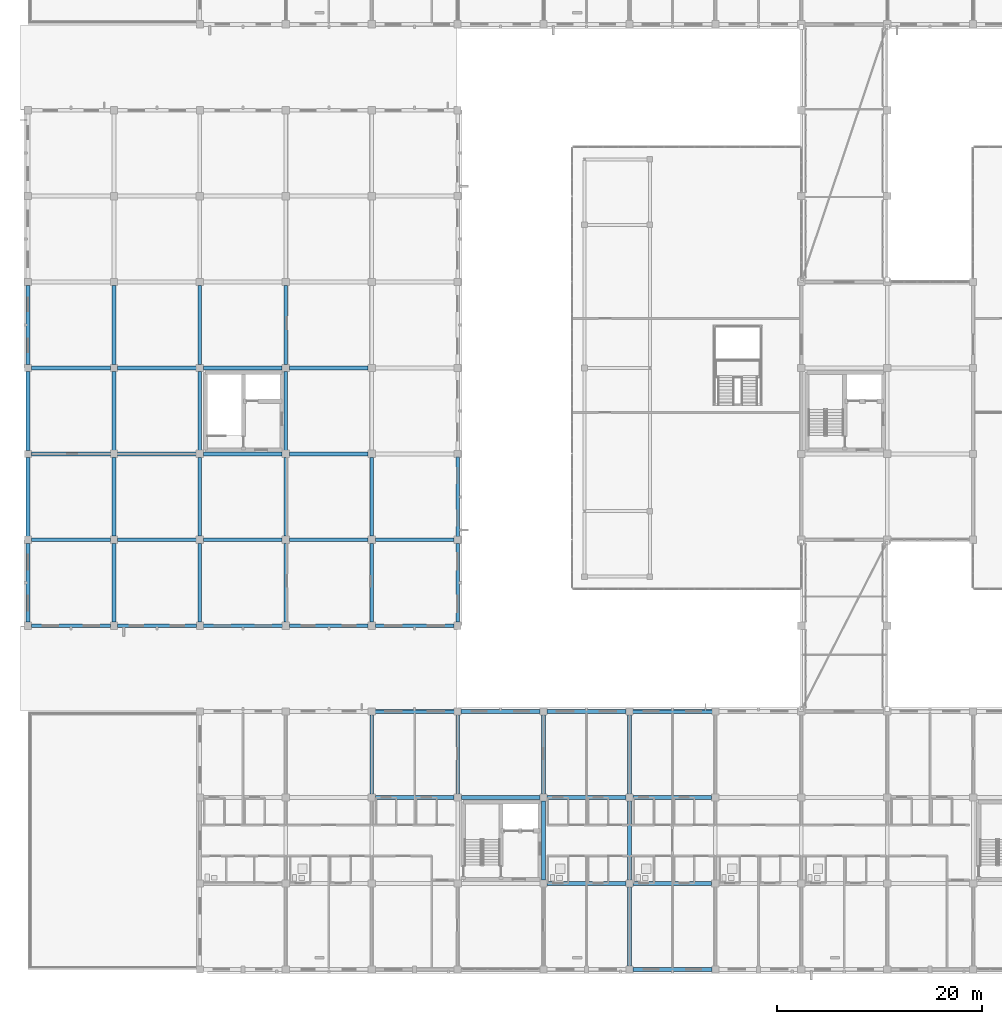
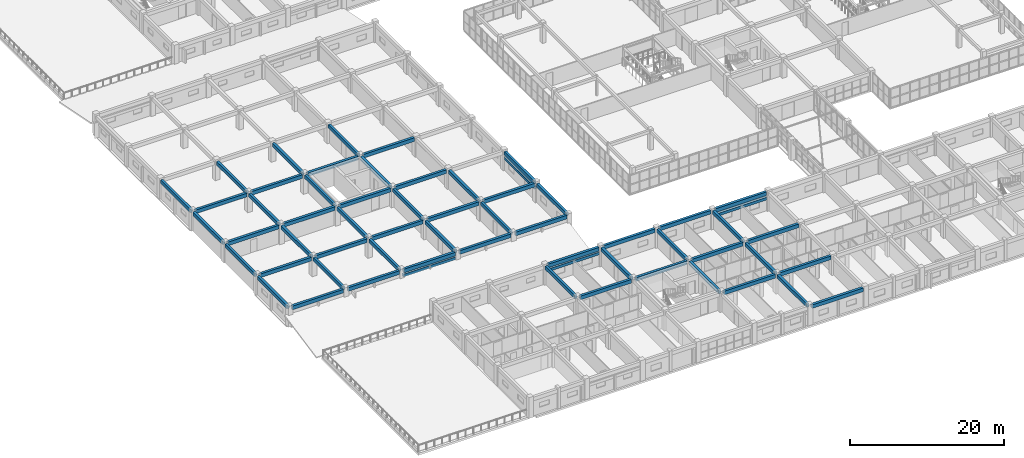
# One storey, part 15 of 148: 60 beams.
"""IFC4 building model written with IfcOpenShell, lengths in metres."""

from ifc_helpers import new_model, si_unit, direction, frame, origin, origin_2d, place, context, subcontext, project, spatial, rectangle, extrude, material, material_profile, profile_set, type_object, element, save


model = new_model("IFC4")

# Units and contexts
model_context = context("Model", 3, precision=1e-05, world=origin(), true_north=direction((0.0, 1.0)))
body_context = subcontext(model_context, "Body", "Model", "MODEL_VIEW")
ifc_project = project(units=[si_unit("LENGTHUNIT", "METRE"), si_unit("AREAUNIT", "SQUARE_METRE"), si_unit("VOLUMEUNIT", "CUBIC_METRE"), si_unit("PLANEANGLEUNIT", "RADIAN"), si_unit("MASSUNIT", "GRAM", prefix="KILO")], contexts=[model_context])

# Site, building, storey
site_placement = place(None, origin())
site = spatial("IfcSite", under=ifc_project, at=site_placement, CompositionType="ELEMENT")
building_placement = place(site_placement, origin())
building = spatial("IfcBuilding", under=site, at=building_placement, Name="Trelvath General Hospital", CompositionType="ELEMENT")
storey_placement = place(building_placement, frame((0.0, 0.0, 12.89990234375)))
storey = spatial("IfcBuildingStorey", under=building, at=storey_placement, Name="L03", CompositionType="ELEMENT", Elevation=12.89990234375)

# Beams
ifc_material_1 = material(Name="Concrete C35/45", Category="concrete")
ifc_material_profile_1 = material_profile(ifc_material_1, rectangle(XDim=0.360107421875, YDim=0.56005859375, at=origin_2d()), Name="RCB360x560")
ifc_profile_set_1 = profile_set([ifc_material_profile_1], Name="Concrete C35/45")
beam_type_1 = type_object("IfcBeamType", Name="Beam RC360x560", PredefinedType="BEAM", material=ifc_profile_set_1)
for number, where, z_axis, x_axis, name in (
    (1, (0.0, 33.945068359375, 2.739990234375), (0.0, 1.0, 0.0), (-1.0, 0.0, 0.0), "Grid Beam BY-300E"),
    (2, (0.0, 42.344970703125, 2.739990234375), (0.0, 1.0, 0.0), (-1.0, 0.0, 0.0), "Grid Beam BY-300F"),
    (3, (0.0, 50.7451171875, 2.739990234375), (0.0, 1.0, 0.0), (-1.0, 0.0, 0.0), "Grid Beam BY-300G"),
    (4, (0.0, 59.14501953125, 2.739990234375), (0.0, 1.0, 0.0), (-1.0, 0.0, 0.0), "Grid Beam BY-300H"),
):
    element("IfcBeam", number, at=place(storey_placement, frame(where, z_axis=z_axis, x_axis=x_axis)), inside=storey, type_object=beam_type_1, Name=name, PredefinedType="BEAM", context=body_context, shape_type="SweptSolid", body=[
        extrude(rectangle(XDim=0.360107421875, YDim=0.56005859375, at=origin_2d()), origin(), (0.0, 0.0, 1.0), 7.7099609375),
    ])
beam_1_placement = place(storey_placement, frame((8.39990234375, 33.945068359375, 2.739990234375), z_axis=(0.0, 1.0, 0.0), x_axis=(-1.0, 0.0, 0.0)))
element("IfcBeam", 5, at=beam_1_placement, inside=storey, type_object=beam_type_1, Name="Grid Beam BY-301E", PredefinedType="BEAM", context=body_context, shape_type="SweptSolid", body=[
    extrude(rectangle(XDim=0.360107421875, YDim=0.56005859375, at=origin_2d()), origin(), (0.0, 0.0, 1.0), 7.699951171875),
])
beam_2_placement = place(storey_placement, frame((8.39990234375, 42.35498046875, 2.739990234375), z_axis=(0.0, 1.0, 0.0), x_axis=(-1.0, 0.0, 0.0)))
element("IfcBeam", 6, at=beam_2_placement, inside=storey, type_object=beam_type_1, Name="Grid Beam BY-301F", PredefinedType="BEAM", context=body_context, shape_type="SweptSolid", body=[
    extrude(rectangle(XDim=0.360107421875, YDim=0.56005859375, at=origin_2d()), origin(), (0.0, 0.0, 1.0), 7.68994140625),
])
beam_3_placement = place(storey_placement, frame((8.39990234375, 50.7548828125, 2.739990234375), z_axis=(0.0, 1.0, 0.0), x_axis=(-1.0, 0.0, 0.0)))
element("IfcBeam", 7, at=beam_3_placement, inside=storey, type_object=beam_type_1, Name="Grid Beam BY-301G", PredefinedType="BEAM", context=body_context, shape_type="SweptSolid", body=[
    extrude(rectangle(XDim=0.360107421875, YDim=0.56005859375, at=origin_2d()), origin(), (0.0, 0.0, 1.0), 7.690185546875),
])
beam_4_placement = place(storey_placement, frame((8.39990234375, 59.155029296875, 2.739990234375), z_axis=(0.0, 1.0, 0.0), x_axis=(-1.0, 0.0, 0.0)))
element("IfcBeam", 8, at=beam_4_placement, inside=storey, type_object=beam_type_1, Name="Grid Beam BY-301H", PredefinedType="BEAM", context=body_context, shape_type="SweptSolid", body=[
    extrude(rectangle(XDim=0.360107421875, YDim=0.56005859375, at=origin_2d()), origin(), (0.0, 0.0, 1.0), 7.68994140625),
])
beam_5_placement = place(storey_placement, frame((16.800048828125, 33.945068359375, 2.739990234375), z_axis=(0.0, 1.0, 0.0), x_axis=(-1.0, 0.0, 0.0)))
element("IfcBeam", 9, at=beam_5_placement, inside=storey, type_object=beam_type_1, Name="Grid Beam BY-302E", PredefinedType="BEAM", context=body_context, shape_type="SweptSolid", body=[
    extrude(rectangle(XDim=0.360107421875, YDim=0.56005859375, at=origin_2d()), origin(), (0.0, 0.0, 1.0), 7.699951171875),
])
beam_6_placement = place(storey_placement, frame((16.800048828125, 42.35498046875, 2.739990234375), z_axis=(0.0, 1.0, 0.0), x_axis=(-1.0, 0.0, 0.0)))
element("IfcBeam", 10, at=beam_6_placement, inside=storey, type_object=beam_type_1, Name="Grid Beam BY-302F", PredefinedType="BEAM", context=body_context, shape_type="SweptSolid", body=[
    extrude(rectangle(XDim=0.360107421875, YDim=0.56005859375, at=origin_2d()), origin(), (0.0, 0.0, 1.0), 7.68994140625),
])
beam_7_placement = place(storey_placement, frame((16.800048828125, 50.7548828125, 2.739990234375), z_axis=(0.0, 1.0, 0.0), x_axis=(-1.0, 0.0, 0.0)))
element("IfcBeam", 11, at=beam_7_placement, inside=storey, type_object=beam_type_1, Name="Grid Beam BY-302G", PredefinedType="BEAM", context=body_context, shape_type="SweptSolid", body=[
    extrude(rectangle(XDim=0.360107421875, YDim=0.56005859375, at=origin_2d()), origin(), (0.0, 0.0, 1.0), 7.690185546875),
])
beam_8_placement = place(storey_placement, frame((16.800048828125, 59.155029296875, 2.739990234375), z_axis=(0.0, 1.0, 0.0), x_axis=(-1.0, 0.0, 0.0)))
element("IfcBeam", 12, at=beam_8_placement, inside=storey, type_object=beam_type_1, Name="Grid Beam BY-302H", PredefinedType="BEAM", context=body_context, shape_type="SweptSolid", body=[
    extrude(rectangle(XDim=0.360107421875, YDim=0.56005859375, at=origin_2d()), origin(), (0.0, 0.0, 1.0), 7.68994140625),
])
beam_9_placement = place(storey_placement, frame((25.199951171875, 33.945068359375, 2.739990234375), z_axis=(0.0, 1.0, 0.0), x_axis=(-1.0, 0.0, 0.0)))
element("IfcBeam", 13, at=beam_9_placement, inside=storey, type_object=beam_type_1, Name="Grid Beam BY-303E", PredefinedType="BEAM", context=body_context, shape_type="SweptSolid", body=[
    extrude(rectangle(XDim=0.360107421875, YDim=0.56005859375, at=origin_2d()), origin(), (0.0, 0.0, 1.0), 7.699951171875),
])
beam_10_placement = place(storey_placement, frame((25.199951171875, 42.35498046875, 2.739990234375), z_axis=(0.0, 1.0, 0.0), x_axis=(-1.0, 0.0, 0.0)))
element("IfcBeam", 14, at=beam_10_placement, inside=storey, type_object=beam_type_1, Name="Grid Beam BY-303F", PredefinedType="BEAM", context=body_context, shape_type="SweptSolid", body=[
    extrude(rectangle(XDim=0.360107421875, YDim=0.56005859375, at=origin_2d()), origin(), (0.0, 0.0, 1.0), 7.68994140625),
])
beam_11_placement = place(storey_placement, frame((25.199951171875, 50.7548828125, 2.739990234375), z_axis=(0.0, 1.0, 0.0), x_axis=(-1.0, 0.0, 0.0)))
element("IfcBeam", 15, at=beam_11_placement, inside=storey, type_object=beam_type_1, Name="Grid Beam BY-303G", PredefinedType="BEAM", context=body_context, shape_type="SweptSolid", body=[
    extrude(rectangle(XDim=0.360107421875, YDim=0.56005859375, at=origin_2d()), origin(), (0.0, 0.0, 1.0), 7.690185546875),
])
beam_12_placement = place(storey_placement, frame((25.199951171875, 59.155029296875, 2.739990234375), z_axis=(0.0, 1.0, 0.0), x_axis=(-1.0, 0.0, 0.0)))
element("IfcBeam", 16, at=beam_12_placement, inside=storey, type_object=beam_type_1, Name="Grid Beam BY-303H", PredefinedType="BEAM", context=body_context, shape_type="SweptSolid", body=[
    extrude(rectangle(XDim=0.360107421875, YDim=0.56005859375, at=origin_2d()), origin(), (0.0, 0.0, 1.0), 7.68994140625),
])
for number, where, z_axis, x_axis, name in (
    (17, (33.60009765625, 17.155029296875, 2.739990234375), (0.0, 1.0, 0.0), (-1.0, 0.0, 0.0), "Grid Beam BY-304C"),
    (18, (33.60009765625, 33.945068359375, 2.739990234375), (0.0, 1.0, 0.0), (-1.0, 0.0, 0.0), "Grid Beam BY-304E"),
):
    element("IfcBeam", number, at=place(storey_placement, frame(where, z_axis=z_axis, x_axis=x_axis)), inside=storey, type_object=beam_type_1, Name=name, PredefinedType="BEAM", context=body_context, shape_type="SweptSolid", body=[
        extrude(rectangle(XDim=0.360107421875, YDim=0.56005859375, at=origin_2d()), origin(), (0.0, 0.0, 1.0), 7.699951171875),
    ])
beam_13_placement = place(storey_placement, frame((33.60009765625, 42.35498046875, 2.739990234375), z_axis=(0.0, 1.0, 0.0), x_axis=(-1.0, 0.0, 0.0)))
element("IfcBeam", 19, at=beam_13_placement, inside=storey, type_object=beam_type_1, Name="Grid Beam BY-304F", PredefinedType="BEAM", context=body_context, shape_type="SweptSolid", body=[
    extrude(rectangle(XDim=0.360107421875, YDim=0.56005859375, at=origin_2d()), origin(), (0.0, 0.0, 1.0), 7.68994140625),
])
beam_14_placement = place(storey_placement, frame((42.0, 17.155029296875, 2.739990234375), z_axis=(0.0, 1.0, 0.0), x_axis=(-1.0, 0.0, 0.0)))
element("IfcBeam", 20, at=beam_14_placement, inside=storey, type_object=beam_type_1, Name="Grid Beam BY-305C", PredefinedType="BEAM", context=body_context, shape_type="SweptSolid", body=[
    extrude(rectangle(XDim=0.360107421875, YDim=0.56005859375, at=origin_2d()), origin(), (0.0, 0.0, 1.0), 7.699951171875),
])
for number, where, z_axis, x_axis, name in (
    (21, (42.0, 33.945068359375, 2.739990234375), (0.0, 1.0, 0.0), (-1.0, 0.0, 0.0), "Grid Beam BY-305E"),
    (22, (42.0, 42.344970703125, 2.739990234375), (0.0, 1.0, 0.0), (-1.0, 0.0, 0.0), "Grid Beam BY-305F"),
):
    element("IfcBeam", number, at=place(storey_placement, frame(where, z_axis=z_axis, x_axis=x_axis)), inside=storey, type_object=beam_type_1, Name=name, PredefinedType="BEAM", context=body_context, shape_type="SweptSolid", body=[
        extrude(rectangle(XDim=0.360107421875, YDim=0.56005859375, at=origin_2d()), origin(), (0.0, 0.0, 1.0), 7.7099609375),
    ])
beam_15_placement = place(storey_placement, frame((50.39990234375, 8.7548828125, 2.739990234375), z_axis=(0.0, 1.0, 0.0), x_axis=(-1.0, 0.0, 0.0)))
element("IfcBeam", 23, at=beam_15_placement, inside=storey, type_object=beam_type_1, Name="Grid Beam BY-306B", PredefinedType="BEAM", context=body_context, shape_type="SweptSolid", body=[
    extrude(rectangle(XDim=0.360107421875, YDim=0.56005859375, at=origin_2d()), origin(), (0.0, 0.0, 1.0), 7.690185546875),
])
for number, where, z_axis, x_axis, name in (
    (24, (50.39990234375, 17.155029296875, 2.739990234375), (0.0, 1.0, 0.0), (-1.0, 0.0, 0.0), "Grid Beam BY-306C"),
    (25, (58.800048828125, 0.344970703125, 2.739990234375), (0.0, 1.0, 0.0), (-1.0, 0.0, 0.0), "Grid Beam BY-307A"),
):
    element("IfcBeam", number, at=place(storey_placement, frame(where, z_axis=z_axis, x_axis=x_axis)), inside=storey, type_object=beam_type_1, Name=name, PredefinedType="BEAM", context=body_context, shape_type="SweptSolid", body=[
        extrude(rectangle(XDim=0.360107421875, YDim=0.56005859375, at=origin_2d()), origin(), (0.0, 0.0, 1.0), 7.699951171875),
    ])
beam_16_placement = place(storey_placement, frame((58.800048828125, 8.7548828125, 2.739990234375), z_axis=(0.0, 1.0, 0.0), x_axis=(-1.0, 0.0, 0.0)))
element("IfcBeam", 26, at=beam_16_placement, inside=storey, type_object=beam_type_1, Name="Grid Beam BY-307B", PredefinedType="BEAM", context=body_context, shape_type="SweptSolid", body=[
    extrude(rectangle(XDim=0.360107421875, YDim=0.56005859375, at=origin_2d()), origin(), (0.0, 0.0, 1.0), 7.690185546875),
])
beam_17_placement = place(storey_placement, frame((58.800048828125, 17.155029296875, 2.739990234375), z_axis=(0.0, 1.0, 0.0), x_axis=(-1.0, 0.0, 0.0)))
element("IfcBeam", 27, at=beam_17_placement, inside=storey, type_object=beam_type_1, Name="Grid Beam BY-307C", PredefinedType="BEAM", context=body_context, shape_type="SweptSolid", body=[
    extrude(rectangle(XDim=0.360107421875, YDim=0.56005859375, at=origin_2d()), origin(), (0.0, 0.0, 1.0), 7.699951171875),
])
ifc_material_2 = material(Name="Concrete C35/45", Category="concrete")
ifc_material_profile_2 = material_profile(ifc_material_2, rectangle(XDim=0.3798828125, YDim=0.580078125, at=origin_2d()), Name="RCB380x580")
ifc_profile_set_2 = profile_set([ifc_material_profile_2], Name="Concrete C35/45")
beam_type_2 = type_object("IfcBeamType", Name="Beam RC380x580", PredefinedType="BEAM", material=ifc_profile_set_2)
beam_18_placement = place(storey_placement, frame((0.344970703125, 33.60009765625, 2.72998046875), z_axis=(1.0, 0.0, 0.0), x_axis=(0.0, 1.0, 0.0)))
element("IfcBeam", 28, at=beam_18_placement, inside=storey, type_object=beam_type_2, Name="Grid Beam BX-300E", PredefinedType="BEAM", context=body_context, shape_type="SweptSolid", body=[
    extrude(rectangle(XDim=0.3798828125, YDim=0.580078125, at=origin_2d()), origin(), (0.0, 0.0, 1.0), 7.7099609375),
])
for number, where, z_axis, x_axis, name in (
    (29, (0.344970703125, 42.0, 2.72998046875), (1.0, 0.0, 0.0), (0.0, 1.0, 0.0), "Grid Beam BX-300F"),
    (30, (0.344970703125, 50.39990234375, 2.72998046875), (1.0, 0.0, 0.0), (0.0, 1.0, 0.0), "Grid Beam BX-300G"),
    (31, (0.344970703125, 58.800048828125, 2.72998046875), (1.0, 0.0, 0.0), (0.0, 1.0, 0.0), "Grid Beam BX-300H"),
):
    element("IfcBeam", number, at=place(storey_placement, frame(where, z_axis=z_axis, x_axis=x_axis)), inside=storey, type_object=beam_type_2, Name=name, PredefinedType="BEAM", context=body_context, shape_type="SweptSolid", body=[
        extrude(rectangle(XDim=0.3798828125, YDim=0.580078125, at=origin_2d()), origin(), (0.0, 0.0, 1.0), 7.699951171875),
    ])
beam_19_placement = place(storey_placement, frame((8.7451171875, 33.60009765625, 2.72998046875), z_axis=(1.0, 0.0, 0.0), x_axis=(0.0, 1.0, 0.0)))
element("IfcBeam", 32, at=beam_19_placement, inside=storey, type_object=beam_type_2, Name="Grid Beam BX-301E", PredefinedType="BEAM", context=body_context, shape_type="SweptSolid", body=[
    extrude(rectangle(XDim=0.3798828125, YDim=0.580078125, at=origin_2d()), origin(), (0.0, 0.0, 1.0), 7.7099609375),
])
for number, where, z_axis, x_axis, name in (
    (33, (8.7548828125, 42.0, 2.72998046875), (1.0, 0.0, 0.0), (0.0, 1.0, 0.0), "Grid Beam BX-301F"),
    (34, (8.7548828125, 50.39990234375, 2.72998046875), (1.0, 0.0, 0.0), (0.0, 1.0, 0.0), "Grid Beam BX-301G"),
    (35, (8.7548828125, 58.800048828125, 2.72998046875), (1.0, 0.0, 0.0), (0.0, 1.0, 0.0), "Grid Beam BX-301H"),
):
    element("IfcBeam", number, at=place(storey_placement, frame(where, z_axis=z_axis, x_axis=x_axis)), inside=storey, type_object=beam_type_2, Name=name, PredefinedType="BEAM", context=body_context, shape_type="SweptSolid", body=[
        extrude(rectangle(XDim=0.3798828125, YDim=0.580078125, at=origin_2d()), origin(), (0.0, 0.0, 1.0), 7.690185546875),
    ])
beam_20_placement = place(storey_placement, frame((17.14501953125, 33.60009765625, 2.72998046875), z_axis=(1.0, 0.0, 0.0), x_axis=(0.0, 1.0, 0.0)))
element("IfcBeam", 36, at=beam_20_placement, inside=storey, type_object=beam_type_2, Name="Grid Beam BX-302E", PredefinedType="BEAM", context=body_context, shape_type="SweptSolid", body=[
    extrude(rectangle(XDim=0.3798828125, YDim=0.580078125, at=origin_2d()), origin(), (0.0, 0.0, 1.0), 7.7099609375),
])
for number, where, z_axis, x_axis, name in (
    (37, (17.155029296875, 42.0, 2.72998046875), (1.0, 0.0, 0.0), (0.0, 1.0, 0.0), "Grid Beam BX-302F"),
    (38, (17.155029296875, 50.39990234375, 2.72998046875), (1.0, 0.0, 0.0), (0.0, 1.0, 0.0), "Grid Beam BX-302G"),
    (39, (17.155029296875, 58.800048828125, 2.72998046875), (1.0, 0.0, 0.0), (0.0, 1.0, 0.0), "Grid Beam BX-302H"),
):
    element("IfcBeam", number, at=place(storey_placement, frame(where, z_axis=z_axis, x_axis=x_axis)), inside=storey, type_object=beam_type_2, Name=name, PredefinedType="BEAM", context=body_context, shape_type="SweptSolid", body=[
        extrude(rectangle(XDim=0.3798828125, YDim=0.580078125, at=origin_2d()), origin(), (0.0, 0.0, 1.0), 7.68994140625),
    ])
beam_21_placement = place(storey_placement, frame((25.544921875, 33.60009765625, 2.72998046875), z_axis=(1.0, 0.0, 0.0), x_axis=(0.0, 1.0, 0.0)))
element("IfcBeam", 40, at=beam_21_placement, inside=storey, type_object=beam_type_2, Name="Grid Beam BX-303E", PredefinedType="BEAM", context=body_context, shape_type="SweptSolid", body=[
    extrude(rectangle(XDim=0.3798828125, YDim=0.580078125, at=origin_2d()), origin(), (0.0, 0.0, 1.0), 7.7099609375),
])
for number, where, z_axis, x_axis, name in (
    (41, (25.554931640625, 42.0, 2.72998046875), (1.0, 0.0, 0.0), (0.0, 1.0, 0.0), "Grid Beam BX-303F"),
    (42, (25.554931640625, 50.39990234375, 2.72998046875), (1.0, 0.0, 0.0), (0.0, 1.0, 0.0), "Grid Beam BX-303G"),
    (43, (25.554931640625, 58.800048828125, 2.72998046875), (1.0, 0.0, 0.0), (0.0, 1.0, 0.0), "Grid Beam BX-303H"),
):
    element("IfcBeam", number, at=place(storey_placement, frame(where, z_axis=z_axis, x_axis=x_axis)), inside=storey, type_object=beam_type_2, Name=name, PredefinedType="BEAM", context=body_context, shape_type="SweptSolid", body=[
        extrude(rectangle(XDim=0.3798828125, YDim=0.580078125, at=origin_2d()), origin(), (0.0, 0.0, 1.0), 7.690185546875),
    ])
beam_22_placement = place(storey_placement, frame((33.955078125, 16.800048828125, 2.72998046875), z_axis=(1.0, 0.0, 0.0), x_axis=(0.0, 1.0, 0.0)))
element("IfcBeam", 44, at=beam_22_placement, inside=storey, type_object=beam_type_2, Name="Grid Beam BX-304C", PredefinedType="BEAM", context=body_context, shape_type="SweptSolid", body=[
    extrude(rectangle(XDim=0.3798828125, YDim=0.580078125, at=origin_2d()), origin(), (0.0, 0.0, 1.0), 7.68994140625),
])
for number, where, z_axis, x_axis, name in (
    (45, (33.945068359375, 25.199951171875, 2.72998046875), (1.0, 0.0, 0.0), (0.0, 1.0, 0.0), "Grid Beam BX-304D"),
    (46, (33.945068359375, 33.60009765625, 2.72998046875), (1.0, 0.0, 0.0), (0.0, 1.0, 0.0), "Grid Beam BX-304E"),
):
    element("IfcBeam", number, at=place(storey_placement, frame(where, z_axis=z_axis, x_axis=x_axis)), inside=storey, type_object=beam_type_2, Name=name, PredefinedType="BEAM", context=body_context, shape_type="SweptSolid", body=[
        extrude(rectangle(XDim=0.3798828125, YDim=0.580078125, at=origin_2d()), origin(), (0.0, 0.0, 1.0), 7.7099609375),
    ])
beam_23_placement = place(storey_placement, frame((33.955078125, 42.0, 2.72998046875), z_axis=(1.0, 0.0, 0.0), x_axis=(0.0, 1.0, 0.0)))
element("IfcBeam", 47, at=beam_23_placement, inside=storey, type_object=beam_type_2, Name="Grid Beam BX-304F", PredefinedType="BEAM", context=body_context, shape_type="SweptSolid", body=[
    extrude(rectangle(XDim=0.3798828125, YDim=0.580078125, at=origin_2d()), origin(), (0.0, 0.0, 1.0), 7.699951171875),
])
beam_24_placement = place(storey_placement, frame((42.35498046875, 16.800048828125, 2.72998046875), z_axis=(1.0, 0.0, 0.0), x_axis=(0.0, 1.0, 0.0)))
element("IfcBeam", 48, at=beam_24_placement, inside=storey, type_object=beam_type_2, Name="Grid Beam BX-305C", PredefinedType="BEAM", context=body_context, shape_type="SweptSolid", body=[
    extrude(rectangle(XDim=0.3798828125, YDim=0.580078125, at=origin_2d()), origin(), (0.0, 0.0, 1.0), 7.68994140625),
])
beam_25_placement = place(storey_placement, frame((42.344970703125, 25.199951171875, 2.72998046875), z_axis=(1.0, 0.0, 0.0), x_axis=(0.0, 1.0, 0.0)))
element("IfcBeam", 49, at=beam_25_placement, inside=storey, type_object=beam_type_2, Name="Grid Beam BX-305D", PredefinedType="BEAM", context=body_context, shape_type="SweptSolid", body=[
    extrude(rectangle(XDim=0.3798828125, YDim=0.580078125, at=origin_2d()), origin(), (0.0, 0.0, 1.0), 7.7099609375),
])
for number, where, z_axis, x_axis, name in (
    (50, (50.7548828125, 8.39990234375, 2.72998046875), (1.0, 0.0, 0.0), (0.0, 1.0, 0.0), "Grid Beam BX-306B"),
    (51, (50.7548828125, 16.800048828125, 2.72998046875), (1.0, 0.0, 0.0), (0.0, 1.0, 0.0), "Grid Beam BX-306C"),
):
    element("IfcBeam", number, at=place(storey_placement, frame(where, z_axis=z_axis, x_axis=x_axis)), inside=storey, type_object=beam_type_2, Name=name, PredefinedType="BEAM", context=body_context, shape_type="SweptSolid", body=[
        extrude(rectangle(XDim=0.3798828125, YDim=0.580078125, at=origin_2d()), origin(), (0.0, 0.0, 1.0), 7.690185546875),
    ])
for number, where, z_axis, x_axis, name in (
    (52, (50.7451171875, 25.199951171875, 2.72998046875), (1.0, 0.0, 0.0), (0.0, 1.0, 0.0), "Grid Beam BX-306D"),
    (53, (59.14501953125, 0.0, 2.72998046875), (1.0, 0.0, 0.0), (0.0, 1.0, 0.0), "Grid Beam BX-307A"),
):
    element("IfcBeam", number, at=place(storey_placement, frame(where, z_axis=z_axis, x_axis=x_axis)), inside=storey, type_object=beam_type_2, Name=name, PredefinedType="BEAM", context=body_context, shape_type="SweptSolid", body=[
        extrude(rectangle(XDim=0.3798828125, YDim=0.580078125, at=origin_2d()), origin(), (0.0, 0.0, 1.0), 7.7099609375),
    ])
for number, where, z_axis, x_axis, name in (
    (54, (59.155029296875, 8.39990234375, 2.72998046875), (1.0, 0.0, 0.0), (0.0, 1.0, 0.0), "Grid Beam BX-307B"),
    (55, (59.155029296875, 16.800048828125, 2.72998046875), (1.0, 0.0, 0.0), (0.0, 1.0, 0.0), "Grid Beam BX-307C"),
):
    element("IfcBeam", number, at=place(storey_placement, frame(where, z_axis=z_axis, x_axis=x_axis)), inside=storey, type_object=beam_type_2, Name=name, PredefinedType="BEAM", context=body_context, shape_type="SweptSolid", body=[
        extrude(rectangle(XDim=0.3798828125, YDim=0.580078125, at=origin_2d()), origin(), (0.0, 0.0, 1.0), 7.68994140625),
    ])
beam_26_placement = place(storey_placement, frame((59.14501953125, 25.199951171875, 2.72998046875), z_axis=(1.0, 0.0, 0.0), x_axis=(0.0, 1.0, 0.0)))
element("IfcBeam", 56, at=beam_26_placement, inside=storey, type_object=beam_type_2, Name="Grid Beam BX-307D", PredefinedType="BEAM", context=body_context, shape_type="SweptSolid", body=[
    extrude(rectangle(XDim=0.3798828125, YDim=0.580078125, at=origin_2d()), origin(), (0.0, 0.0, 1.0), 7.7099609375),
])
ifc_material_3 = material(Name="Precast concrete C40/50", Category="concrete")
ifc_material_profile_3 = material_profile(ifc_material_3, rectangle(XDim=0.35009765625, YDim=0.419921875, at=origin_2d()), Name="PCL350x420")
ifc_profile_set_3 = profile_set([ifc_material_profile_3], Name="Precast concrete C40/50")
beam_type_3 = type_object("IfcBeamType", Name="Lintel PC350x420", PredefinedType="LINTEL", material=ifc_profile_set_3)
for number, where, z_axis, x_axis, name in (
    (57, (24.93505859375, 33.60009765625, 2.02001953125), (-1.0, 0.0, 0.0), (0.0, -1.0, 0.0), "Precast Window Brow Lintel L03-341"),
    (58, (33.864990234375, 25.199951171875, 2.02001953125), (1.0, 0.0, 0.0), (0.0, 1.0, 0.0), "Precast Window Brow Lintel L03-355"),
    (59, (42.0, 50.135009765625, 1.920166015625), (0.0, -1.0, 0.0), (1.0, 0.0, 0.0), "Precast Window Brow Lintel L03-358"),
    (60, (59.06494140625, 25.199951171875, 1.920166015625), (1.0, 0.0, 0.0), (0.0, 1.0, 0.0), "Precast Window Brow Lintel L03-373"),
):
    element("IfcBeam", number, at=place(storey_placement, frame(where, z_axis=z_axis, x_axis=x_axis)), inside=storey, type_object=beam_type_3, Name=name, PredefinedType="LINTEL", context=body_context, shape_type="SweptSolid", body=[
        extrude(rectangle(XDim=0.35009765625, YDim=0.419921875, at=origin_2d()), origin(), (0.0, 0.0, 1.0), 7.8701171875),
    ])

save(model, "model.ifc")
